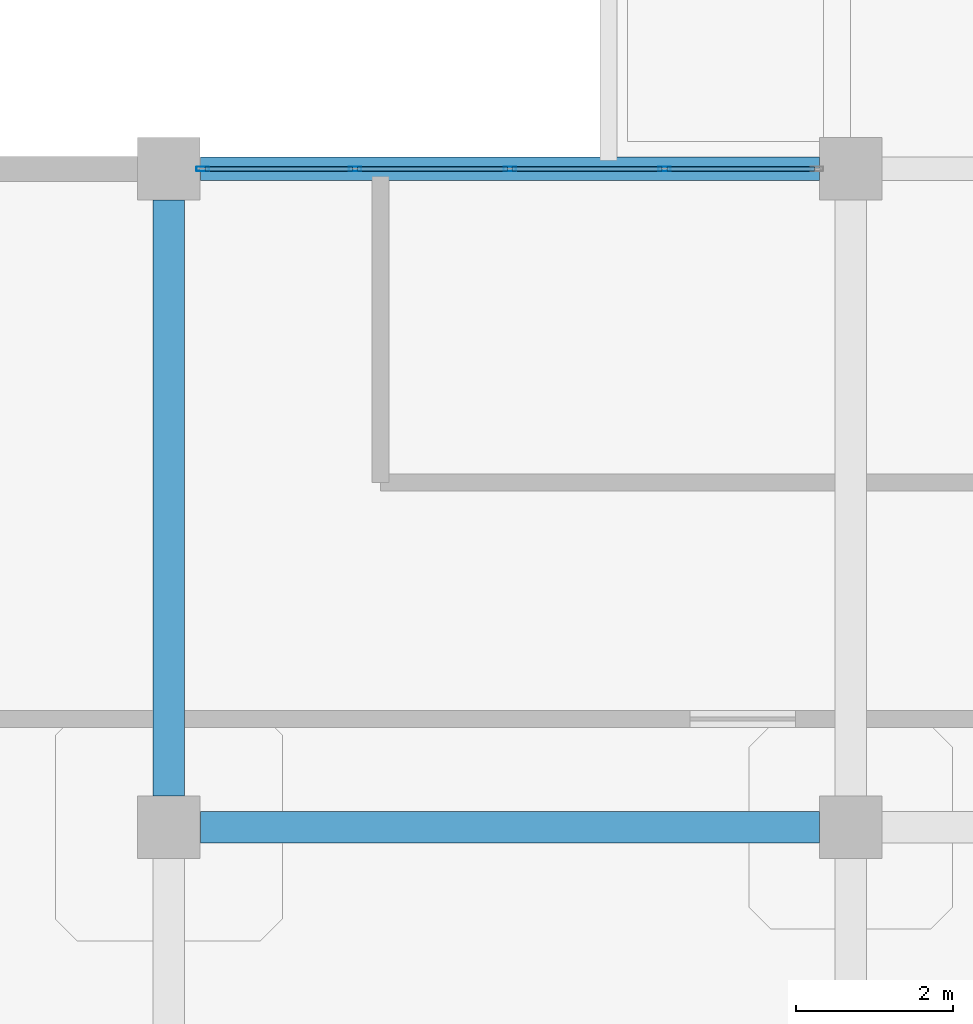
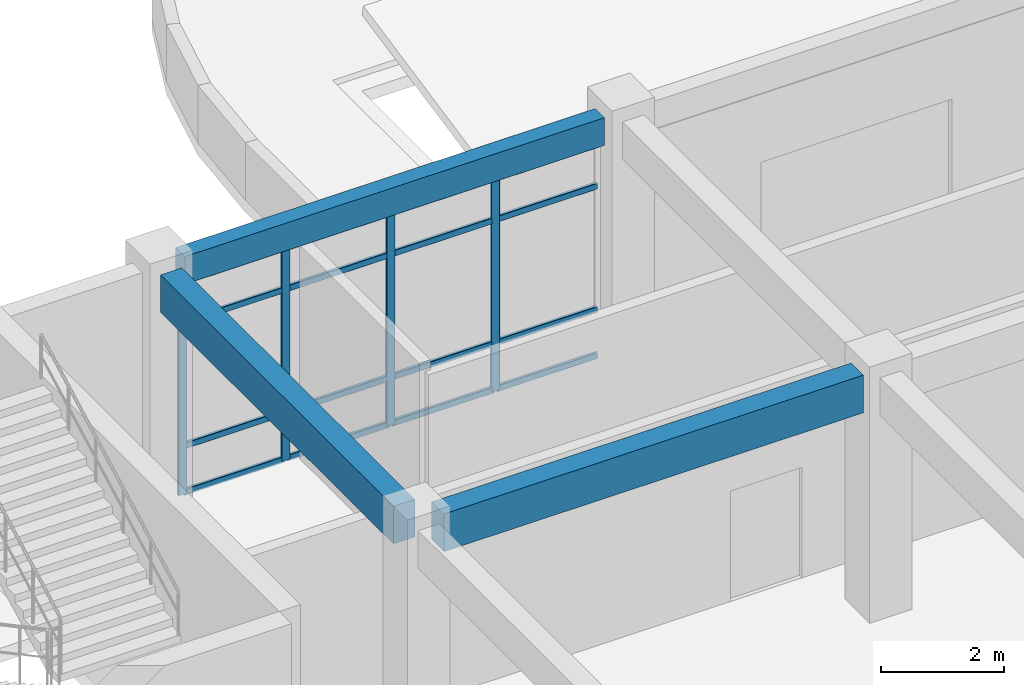
# One storey, part 16 of 124: 20 members, 3 beams, 1 element without a shape of its own.
"""IFC4 building model written with IfcOpenShell, lengths in metres."""

from ifc_helpers import new_model, si_unit, derived_unit, direction, frame, origin, origin_2d, place, context, subcontext, project, spatial, rectangle, hollow_rectangle, extrude, material, layer, layer_set, material_profile, profile_set, type_object, element, aggregate, save


model = new_model("IFC4")

# Units and contexts
model_context = context("Model", 3, precision=1e-05, world=origin(), true_north=direction((0.0, 1.0)))
body_context = subcontext(model_context, "Body", "Model", "MODEL_VIEW")
ifc_project = project(units=[si_unit("LENGTHUNIT", "METRE"), si_unit("AREAUNIT", "SQUARE_METRE"), si_unit("VOLUMEUNIT", "CUBIC_METRE"), si_unit("PLANEANGLEUNIT", "RADIAN"), si_unit("MASSUNIT", "GRAM", prefix="KILO"), derived_unit("THERMALTRANSMITTANCEUNIT", [(si_unit("MASSUNIT", "GRAM", prefix="KILO"), 1), (si_unit("TIMEUNIT", "SECOND"), -3), (si_unit("THERMODYNAMICTEMPERATUREUNIT", "KELVIN"), -1)])], contexts=[model_context])

# Site, building, storey
site_placement = place(None, origin())
site = spatial("IfcSite", under=ifc_project, at=site_placement, CompositionType="ELEMENT")
building_placement = place(site_placement, origin())
building = spatial("IfcBuilding", under=site, at=building_placement, Name="Qinzheling Arcade Emporium", CompositionType="ELEMENT")
storey_placement = place(building_placement, frame((0.0, 0.0, 16.5)))
storey = spatial("IfcBuildingStorey", under=building, at=storey_placement, Name="L04", CompositionType="ELEMENT", Elevation=16.5)

# Curtain wall, members
ifc_material_1 = material(Name="Anodised aluminium and solar-control double glazing", Category="aluminium")
ifc_layer = layer(ifc_material_1, 0.159912109375, Name="Anodised aluminium and solar-control double glazing", Category="aluminium")
ifc_layer_set = layer_set([ifc_layer], Name="Anodised aluminium and solar-control double glazing")
curtain_wall_type = type_object("IfcCurtainWallType", Name="Atrium Clerestory Curtain Wall", PredefinedType="NOTDEFINED", material=ifc_layer_set)
curtain_wall_placement = place(storey_placement, origin())
curtain_wall = element("IfcCurtainWall", 1, at=curtain_wall_placement, inside=storey, type_object=curtain_wall_type, Name="Curtain Wall CW-L04-238", PredefinedType="NOTDEFINED")
ifc_material_2 = material(Name="Anodised aluminium 6063-T6", Category="aluminium")
ifc_material_profile_1 = material_profile(ifc_material_2, hollow_rectangle(XDim=0.06005859375, YDim=0.159912109375, WallThickness=0.00390625, InnerFilletRadius=0.00390625, OuterFilletRadius=0.008056640625, at=origin_2d()), Name="RHS 160x60x4", Category="aluminium")
ifc_profile_set_1 = profile_set([ifc_material_profile_1], Name="Anodised aluminium 6063-T6")
member_type_1 = type_object("IfcMemberType", Name="Curtain Wall Mullion RHS160x60", PredefinedType="MULLION", material=ifc_profile_set_1)
member_1_placement = place(storey_placement, frame((9.132080078125, 42.0, 0.0), z_axis=(0.0, 0.0, 1.0), x_axis=(0.0, 1.0, 0.0)))
member_1 = element("IfcMember", 2, at=member_1_placement, type_object=member_type_1, Name="CW03 mullion 1", PredefinedType="MULLION", context=body_context, shape_type="SweptSolid", body=[
    extrude(hollow_rectangle(XDim=0.06005859375, YDim=0.159912109375, WallThickness=0.00390625, InnerFilletRadius=0.00390625, OuterFilletRadius=0.008056640625, at=origin_2d()), origin(), (0.0, 0.0, 1.0), 4.2548828125),
])
member_2_placement = place(storey_placement, frame((11.075927734375, 42.0, 0.0), z_axis=(0.0, 0.0, 1.0), x_axis=(0.0, 1.0, 0.0)))
member_2 = element("IfcMember", 3, at=member_2_placement, type_object=member_type_1, Name="CW03 mullion 2", PredefinedType="MULLION", context=body_context, shape_type="SweptSolid", body=[
    extrude(hollow_rectangle(XDim=0.06005859375, YDim=0.159912109375, WallThickness=0.00390625, InnerFilletRadius=0.00390625, OuterFilletRadius=0.008056640625, at=origin_2d()), origin(), (0.0, 0.0, 1.0), 4.2548828125),
])
member_3_placement = place(storey_placement, frame((13.050048828125, 42.0, 0.0), z_axis=(0.0, 0.0, 1.0), x_axis=(0.0, 1.0, 0.0)))
member_3 = element("IfcMember", 4, at=member_3_placement, type_object=member_type_1, Name="CW03 mullion 3", PredefinedType="MULLION", context=body_context, shape_type="SweptSolid", body=[
    extrude(hollow_rectangle(XDim=0.06005859375, YDim=0.159912109375, WallThickness=0.00390625, InnerFilletRadius=0.00390625, OuterFilletRadius=0.008056640625, at=origin_2d()), origin(), (0.0, 0.0, 1.0), 4.2548828125),
])
member_4_placement = place(storey_placement, frame((15.02392578125, 42.0, 0.0), z_axis=(0.0, 0.0, 1.0), x_axis=(0.0, 1.0, 0.0)))
member_4 = element("IfcMember", 5, at=member_4_placement, type_object=member_type_1, Name="CW03 mullion 4", PredefinedType="MULLION", context=body_context, shape_type="SweptSolid", body=[
    extrude(hollow_rectangle(XDim=0.06005859375, YDim=0.159912109375, WallThickness=0.00390625, InnerFilletRadius=0.00390625, OuterFilletRadius=0.008056640625, at=origin_2d()), origin(), (0.0, 0.0, 1.0), 4.2548828125),
])
ifc_material_profile_2 = material_profile(ifc_material_2, hollow_rectangle(XDim=0.06005859375, YDim=0.1201171875, WallThickness=0.00390625, InnerFilletRadius=0.00390625, OuterFilletRadius=0.008056640625, at=origin_2d()), Name="RHS 120x60x4", Category="aluminium")
ifc_profile_set_2 = profile_set([ifc_material_profile_2], Name="Anodised aluminium 6063-T6")
member_type_2 = type_object("IfcMemberType", Name="Curtain Wall Transom RHS120x60", PredefinedType="USERDEFINED", material=ifc_profile_set_2)
member_5_placement = place(storey_placement, frame((9.162109375, 42.0, 0.030029296875), z_axis=(1.0, 0.0, 0.0), x_axis=(0.0, 1.0, 0.0)))
member_5 = element("IfcMember", 6, at=member_5_placement, type_object=member_type_2, Name="CW03 transom 1.1", ObjectType="TRANSOM", PredefinedType="USERDEFINED", context=body_context, shape_type="SweptSolid", body=[
    extrude(hollow_rectangle(XDim=0.06005859375, YDim=0.1201171875, WallThickness=0.00390625, InnerFilletRadius=0.00390625, OuterFilletRadius=0.008056640625, at=origin_2d()), origin(), (0.0, 0.0, 1.0), 1.8837890625),
])
member_6_placement = place(storey_placement, frame((9.162109375, 42.0, 0.949951171875), z_axis=(1.0, 0.0, 0.0), x_axis=(0.0, 1.0, 0.0)))
member_6 = element("IfcMember", 7, at=member_6_placement, type_object=member_type_2, Name="CW03 transom 1.2", ObjectType="TRANSOM", PredefinedType="USERDEFINED", context=body_context, shape_type="SweptSolid", body=[
    extrude(hollow_rectangle(XDim=0.06005859375, YDim=0.1201171875, WallThickness=0.00390625, InnerFilletRadius=0.00390625, OuterFilletRadius=0.008056640625, at=origin_2d()), origin(), (0.0, 0.0, 1.0), 1.8837890625),
])
member_7_placement = place(storey_placement, frame((9.162109375, 42.0, 3.405029296875), z_axis=(1.0, 0.0, 0.0), x_axis=(0.0, 1.0, 0.0)))
member_7 = element("IfcMember", 8, at=member_7_placement, type_object=member_type_2, Name="CW03 transom 1.3", ObjectType="TRANSOM", PredefinedType="USERDEFINED", context=body_context, shape_type="SweptSolid", body=[
    extrude(hollow_rectangle(XDim=0.06005859375, YDim=0.1201171875, WallThickness=0.00390625, InnerFilletRadius=0.00390625, OuterFilletRadius=0.008056640625, at=origin_2d()), origin(), (0.0, 0.0, 1.0), 1.8837890625),
])
member_8_placement = place(storey_placement, frame((9.162109375, 42.0, 4.22509765625), z_axis=(1.0, 0.0, 0.0), x_axis=(0.0, 1.0, 0.0)))
member_8 = element("IfcMember", 9, at=member_8_placement, type_object=member_type_2, Name="CW03 transom 1.4", ObjectType="TRANSOM", PredefinedType="USERDEFINED", context=body_context, shape_type="SweptSolid", body=[
    extrude(hollow_rectangle(XDim=0.06005859375, YDim=0.1201171875, WallThickness=0.00390625, InnerFilletRadius=0.00390625, OuterFilletRadius=0.008056640625, at=origin_2d()), origin(), (0.0, 0.0, 1.0), 1.8837890625),
])
member_9_placement = place(storey_placement, frame((11.10595703125, 42.0, 0.030029296875), z_axis=(1.0, 0.0, 0.0), x_axis=(0.0, 1.0, 0.0)))
member_9 = element("IfcMember", 10, at=member_9_placement, type_object=member_type_2, Name="CW03 transom 2.1", ObjectType="TRANSOM", PredefinedType="USERDEFINED", context=body_context, shape_type="SweptSolid", body=[
    extrude(hollow_rectangle(XDim=0.06005859375, YDim=0.1201171875, WallThickness=0.00390625, InnerFilletRadius=0.00390625, OuterFilletRadius=0.008056640625, at=origin_2d()), origin(), (0.0, 0.0, 1.0), 1.9140625),
])
member_10_placement = place(storey_placement, frame((11.10595703125, 42.0, 0.949951171875), z_axis=(1.0, 0.0, 0.0), x_axis=(0.0, 1.0, 0.0)))
member_10 = element("IfcMember", 11, at=member_10_placement, type_object=member_type_2, Name="CW03 transom 2.2", ObjectType="TRANSOM", PredefinedType="USERDEFINED", context=body_context, shape_type="SweptSolid", body=[
    extrude(hollow_rectangle(XDim=0.06005859375, YDim=0.1201171875, WallThickness=0.00390625, InnerFilletRadius=0.00390625, OuterFilletRadius=0.008056640625, at=origin_2d()), origin(), (0.0, 0.0, 1.0), 1.9140625),
])
member_11_placement = place(storey_placement, frame((11.10595703125, 42.0, 3.405029296875), z_axis=(1.0, 0.0, 0.0), x_axis=(0.0, 1.0, 0.0)))
member_11 = element("IfcMember", 12, at=member_11_placement, type_object=member_type_2, Name="CW03 transom 2.3", ObjectType="TRANSOM", PredefinedType="USERDEFINED", context=body_context, shape_type="SweptSolid", body=[
    extrude(hollow_rectangle(XDim=0.06005859375, YDim=0.1201171875, WallThickness=0.00390625, InnerFilletRadius=0.00390625, OuterFilletRadius=0.008056640625, at=origin_2d()), origin(), (0.0, 0.0, 1.0), 1.9140625),
])
member_12_placement = place(storey_placement, frame((11.10595703125, 42.0, 4.22509765625), z_axis=(1.0, 0.0, 0.0), x_axis=(0.0, 1.0, 0.0)))
member_12 = element("IfcMember", 13, at=member_12_placement, type_object=member_type_2, Name="CW03 transom 2.4", ObjectType="TRANSOM", PredefinedType="USERDEFINED", context=body_context, shape_type="SweptSolid", body=[
    extrude(hollow_rectangle(XDim=0.06005859375, YDim=0.1201171875, WallThickness=0.00390625, InnerFilletRadius=0.00390625, OuterFilletRadius=0.008056640625, at=origin_2d()), origin(), (0.0, 0.0, 1.0), 1.9140625),
])
member_13_placement = place(storey_placement, frame((13.080078125, 42.0, 0.030029296875), z_axis=(1.0, 0.0, 0.0), x_axis=(0.0, 1.0, 0.0)))
member_13 = element("IfcMember", 14, at=member_13_placement, type_object=member_type_2, Name="CW03 transom 3.1", ObjectType="TRANSOM", PredefinedType="USERDEFINED", context=body_context, shape_type="SweptSolid", body=[
    extrude(hollow_rectangle(XDim=0.06005859375, YDim=0.1201171875, WallThickness=0.00390625, InnerFilletRadius=0.00390625, OuterFilletRadius=0.008056640625, at=origin_2d()), origin(), (0.0, 0.0, 1.0), 1.913818359375),
])
member_14_placement = place(storey_placement, frame((13.080078125, 42.0, 0.949951171875), z_axis=(1.0, 0.0, 0.0), x_axis=(0.0, 1.0, 0.0)))
member_14 = element("IfcMember", 15, at=member_14_placement, type_object=member_type_2, Name="CW03 transom 3.2", ObjectType="TRANSOM", PredefinedType="USERDEFINED", context=body_context, shape_type="SweptSolid", body=[
    extrude(hollow_rectangle(XDim=0.06005859375, YDim=0.1201171875, WallThickness=0.00390625, InnerFilletRadius=0.00390625, OuterFilletRadius=0.008056640625, at=origin_2d()), origin(), (0.0, 0.0, 1.0), 1.913818359375),
])
member_15_placement = place(storey_placement, frame((13.080078125, 42.0, 3.405029296875), z_axis=(1.0, 0.0, 0.0), x_axis=(0.0, 1.0, 0.0)))
member_15 = element("IfcMember", 16, at=member_15_placement, type_object=member_type_2, Name="CW03 transom 3.3", ObjectType="TRANSOM", PredefinedType="USERDEFINED", context=body_context, shape_type="SweptSolid", body=[
    extrude(hollow_rectangle(XDim=0.06005859375, YDim=0.1201171875, WallThickness=0.00390625, InnerFilletRadius=0.00390625, OuterFilletRadius=0.008056640625, at=origin_2d()), origin(), (0.0, 0.0, 1.0), 1.913818359375),
])
member_16_placement = place(storey_placement, frame((13.080078125, 42.0, 4.22509765625), z_axis=(1.0, 0.0, 0.0), x_axis=(0.0, 1.0, 0.0)))
member_16 = element("IfcMember", 17, at=member_16_placement, type_object=member_type_2, Name="CW03 transom 3.4", ObjectType="TRANSOM", PredefinedType="USERDEFINED", context=body_context, shape_type="SweptSolid", body=[
    extrude(hollow_rectangle(XDim=0.06005859375, YDim=0.1201171875, WallThickness=0.00390625, InnerFilletRadius=0.00390625, OuterFilletRadius=0.008056640625, at=origin_2d()), origin(), (0.0, 0.0, 1.0), 1.913818359375),
])
member_17_placement = place(storey_placement, frame((15.053955078125, 42.0, 0.030029296875), z_axis=(1.0, 0.0, 0.0), x_axis=(0.0, 1.0, 0.0)))
member_17 = element("IfcMember", 18, at=member_17_placement, type_object=member_type_2, Name="CW03 transom 4.1", ObjectType="TRANSOM", PredefinedType="USERDEFINED", context=body_context, shape_type="SweptSolid", body=[
    extrude(hollow_rectangle(XDim=0.06005859375, YDim=0.1201171875, WallThickness=0.00390625, InnerFilletRadius=0.00390625, OuterFilletRadius=0.008056640625, at=origin_2d()), origin(), (0.0, 0.0, 1.0), 1.884033203125),
])
member_18_placement = place(storey_placement, frame((15.053955078125, 42.0, 0.949951171875), z_axis=(1.0, 0.0, 0.0), x_axis=(0.0, 1.0, 0.0)))
member_18 = element("IfcMember", 19, at=member_18_placement, type_object=member_type_2, Name="CW03 transom 4.2", ObjectType="TRANSOM", PredefinedType="USERDEFINED", context=body_context, shape_type="SweptSolid", body=[
    extrude(hollow_rectangle(XDim=0.06005859375, YDim=0.1201171875, WallThickness=0.00390625, InnerFilletRadius=0.00390625, OuterFilletRadius=0.008056640625, at=origin_2d()), origin(), (0.0, 0.0, 1.0), 1.884033203125),
])
member_19_placement = place(storey_placement, frame((15.053955078125, 42.0, 3.405029296875), z_axis=(1.0, 0.0, 0.0), x_axis=(0.0, 1.0, 0.0)))
member_19 = element("IfcMember", 20, at=member_19_placement, type_object=member_type_2, Name="CW03 transom 4.3", ObjectType="TRANSOM", PredefinedType="USERDEFINED", context=body_context, shape_type="SweptSolid", body=[
    extrude(hollow_rectangle(XDim=0.06005859375, YDim=0.1201171875, WallThickness=0.00390625, InnerFilletRadius=0.00390625, OuterFilletRadius=0.008056640625, at=origin_2d()), origin(), (0.0, 0.0, 1.0), 1.884033203125),
])
member_20_placement = place(storey_placement, frame((15.053955078125, 42.0, 4.22509765625), z_axis=(1.0, 0.0, 0.0), x_axis=(0.0, 1.0, 0.0)))
member_20 = element("IfcMember", 21, at=member_20_placement, type_object=member_type_2, Name="CW03 transom 4.4", ObjectType="TRANSOM", PredefinedType="USERDEFINED", context=body_context, shape_type="SweptSolid", body=[
    extrude(hollow_rectangle(XDim=0.06005859375, YDim=0.1201171875, WallThickness=0.00390625, InnerFilletRadius=0.00390625, OuterFilletRadius=0.008056640625, at=origin_2d()), origin(), (0.0, 0.0, 1.0), 1.884033203125),
])
aggregate(curtain_wall, [member_1, member_2, member_3, member_4, member_5, member_6, member_7, member_8, member_9, member_10, member_11, member_12, member_13, member_14, member_15, member_16, member_17, member_18, member_19, member_20])

# Beams
ifc_material_3 = material(Name="Concrete C40", Category="concrete")
ifc_material_profile_3 = material_profile(ifc_material_3, rectangle(XDim=0.39990234375, YDim=0.75, at=origin_2d()), Name="RC 400x750", Category="concrete")
ifc_profile_set_3 = profile_set([ifc_material_profile_3], Name="Concrete C40")
beam_type_1 = type_object("IfcBeamType", Name="RC Interior Tie Beam 400x750 C40", PredefinedType="BEAM", material=ifc_profile_set_3)
beam_1_placement = place(storey_placement, frame((9.10009765625, 33.60009765625, 4.445068359375), z_axis=(1.0, 0.0, 0.0), x_axis=(0.0, 1.0, 0.0)))
element("IfcBeam", 22, at=beam_1_placement, inside=storey, type_object=beam_type_1, Name="Beam BM-L04-X-E-2", PredefinedType="BEAM", context=body_context, shape_type="SweptSolid", body=[
    extrude(rectangle(XDim=0.39990234375, YDim=0.75, at=origin_2d()), origin(), (0.0, 0.0, 1.0), 7.89990234375),
])
beam_2_placement = place(storey_placement, frame((8.699951171875, 34.0, 4.445068359375), z_axis=(0.0, 1.0, 0.0), x_axis=(-1.0, 0.0, 0.0)))
element("IfcBeam", 23, at=beam_2_placement, inside=storey, type_object=beam_type_1, Name="Beam BM-L04-Y-2-E", PredefinedType="BEAM", context=body_context, shape_type="SweptSolid", body=[
    extrude(rectangle(XDim=0.39990234375, YDim=0.75, at=origin_2d()), origin(), (0.0, 0.0, 1.0), 7.60009765625),
])
ifc_material_profile_4 = material_profile(ifc_material_3, rectangle(XDim=0.300048828125, YDim=0.550048828125, at=origin_2d()), Name="RC 300x550", Category="concrete")
ifc_profile_set_4 = profile_set([ifc_material_profile_4], Name="Concrete C40")
beam_type_2 = type_object("IfcBeamType", Name="RC Terrace Spandrel Beam 300x550 C40", PredefinedType="SPANDREL", material=ifc_profile_set_4)
beam_3_placement = place(storey_placement, frame((9.10009765625, 42.0, 4.544921875), z_axis=(1.0, 0.0, 0.0), x_axis=(0.0, 1.0, 0.0)))
element("IfcBeam", 24, at=beam_3_placement, inside=storey, type_object=beam_type_2, Name="Beam BM-L04-X-F-2", PredefinedType="SPANDREL", context=body_context, shape_type="SweptSolid", body=[
    extrude(rectangle(XDim=0.300048828125, YDim=0.550048828125, at=origin_2d()), origin(), (0.0, 0.0, 1.0), 7.89990234375),
])

save(model, "model.ifc")
